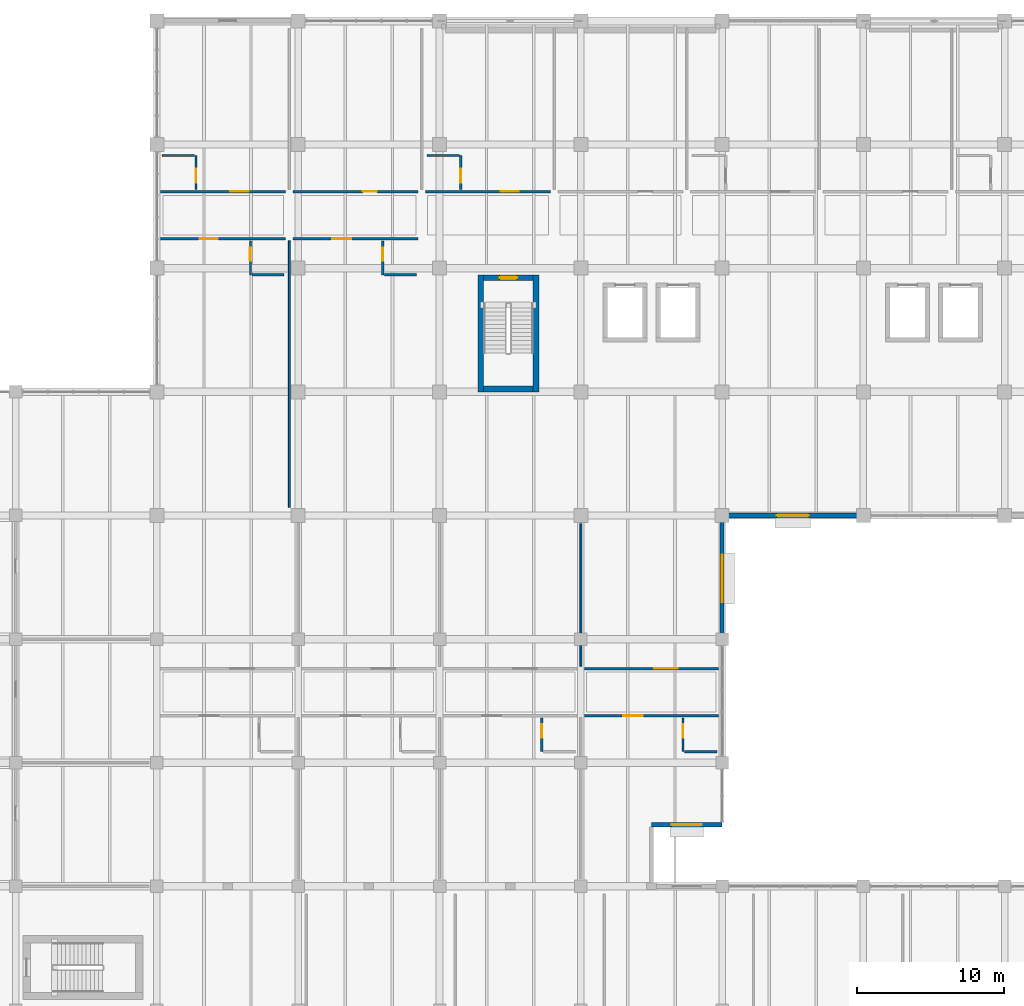
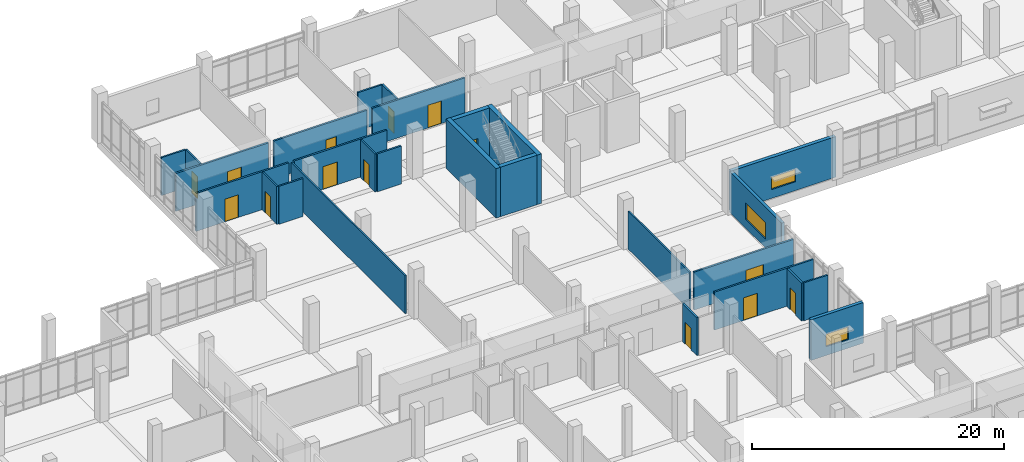
# One storey, part 131 of 152: 27 walls, 14 doors, 3 windows, 17 openings.
"""IFC4 building model written with IfcOpenShell, lengths in metres."""

from ifc_helpers import new_model, si_unit, direction, frame, frame_2d, origin, place, context, subcontext, project, spatial, rectangle, extrude, material, layer, layer_set, type_object, element, fill, save


model = new_model("IFC4")

# Units and contexts
model_context = context("Model", 3, precision=1e-05, world=origin(), true_north=direction((0.0, 1.0)))
body_context = subcontext(model_context, "Body", "Model", "MODEL_VIEW")
ifc_project = project(units=[si_unit("LENGTHUNIT", "METRE"), si_unit("AREAUNIT", "SQUARE_METRE"), si_unit("VOLUMEUNIT", "CUBIC_METRE"), si_unit("PLANEANGLEUNIT", "RADIAN"), si_unit("MASSUNIT", "GRAM", prefix="KILO")], contexts=[model_context])

# Site, building, storey
site_placement = place(None, origin())
site = spatial("IfcSite", under=ifc_project, at=site_placement, CompositionType="ELEMENT")
building_placement = place(site_placement, origin())
building = spatial("IfcBuilding", under=site, at=building_placement, Name="Oolite Switchyard Hospital", CompositionType="ELEMENT")
storey_placement = place(building_placement, frame((0.0, 0.0, 5.10009765625)))
storey = spatial("IfcBuildingStorey", under=building, at=storey_placement, Name="L01", CompositionType="ELEMENT", Elevation=5.10009765625)

# Wall, opening, window
ifc_material_1 = material(Name="Precast oolitic limestone architectural concrete C40/50", Category="masonry")
ifc_layer_1 = layer(ifc_material_1, 0.280029296875)
ifc_layer_set_1 = layer_set([ifc_layer_1], Name="WAL-EXT-280")
wall_type_1 = type_object("IfcWallType", Name="WAL-EXT-280", PredefinedType="SOLIDWALL", material=ifc_layer_set_1)
wall_1_placement = place(storey_placement, frame((172.800048828125, 100.639892578125, 0.0), z_axis=(0.0, 0.0, 1.0), x_axis=(0.0, -1.0, 0.0)))
wall_1 = element("IfcWall", 1, at=wall_1_placement, inside=storey, type_object=wall_type_1, Name="L01 Exterior Spandrel Wall 119", PredefinedType="SOLIDWALL", context=body_context, shape_type="SweptSolid", body=[
    extrude(rectangle(XDim=8.239990234375, YDim=0.280029296875, at=frame_2d((4.1201171875, 0.0))), origin(), (0.0, 0.0, 1.0), 3.93994140625),
])
opening_1_placement = place(wall_1_placement, frame((2.52001953125, 0.0, 0.85009765625)))
opening_1 = element("IfcOpeningElement", 2, at=opening_1_placement, cuts=wall_1, Name="Opening WN-0042", PredefinedType="OPENING", context=body_context, shape_type="SweptSolid", body=[
    extrude(rectangle(XDim=3.199951171875, YDim=1.60009765625, at=frame_2d((1.60009765625, 0.800048828125))), frame((0.0, 0.14990234375, 0.0), z_axis=(0.0, -1.0, 0.0), x_axis=(1.0, 0.0, 0.0)), (0.0, 0.0, 1.0), 0.300048828125),
])
ifc_material_2 = material(Name="Thermally broken aluminum frame with laminated impact glazing", Category="aluminium")
window_type_1 = type_object("IfcWindowType", Name="WIN-IMP-320X160", PartitioningType="SINGLE_PANEL", PredefinedType="WINDOW", material=ifc_material_2)
window_1_placement = place(opening_1_placement, origin())
window_1 = element("IfcWindow", 3, at=window_1_placement, inside=storey, type_object=window_type_1, Name="L01 Hurricane Impact Window WN-0042", OverallHeight=1.60009765625, OverallWidth=3.199951171875, PartitioningType="SINGLE_PANEL", PredefinedType="WINDOW", context=body_context, shape_type="SweptSolid", body=[
    extrude(rectangle(XDim=3.199951171875, YDim=1.60009765625, at=frame_2d((1.60009765625, 0.800048828125))), frame((0.0, 0.030029296875, 0.0), z_axis=(0.0, -1.0, 0.0), x_axis=(1.0, 0.0, 0.0)), (0.0, 0.0, 1.0), 0.06005859375),
])
fill(opening_1, window_1)

ifc_layer_2 = layer(ifc_material_1, 0.300048828125)
ifc_layer_set_2 = layer_set([ifc_layer_2], Name="WAL-EXT-300")
wall_type_2 = type_object("IfcWallType", Name="WAL-EXT-300", PredefinedType="SOLIDWALL", material=ifc_layer_set_2)
wall_2_placement = place(storey_placement, frame((172.800048828125, 79.800048828125, 0.0), z_axis=(0.0, 0.0, 1.0), x_axis=(-1.0, 0.0, 0.0)))
wall_2 = element("IfcWall", 4, at=wall_2_placement, inside=storey, type_object=wall_type_2, Name="L01 Exterior Spandrel Wall 85", PredefinedType="SOLIDWALL", context=body_context, shape_type="SweptSolid", body=[
    extrude(rectangle(XDim=4.800048828125, YDim=0.300048828125, at=frame_2d((2.39990234375, 0.0))), origin(), (0.0, 0.0, 1.0), 3.93994140625),
])
opening_2_placement = place(wall_2_placement, frame((1.375, 0.0, 0.85009765625)))
opening_2 = element("IfcOpeningElement", 5, at=opening_2_placement, cuts=wall_2, Name="Opening WN-0030", PredefinedType="OPENING", context=body_context, shape_type="SweptSolid", body=[
    extrude(rectangle(XDim=2.050048828125, YDim=1.199951171875, at=frame_2d((1.02490234375, 0.60009765625))), frame((0.0, 0.16015625, 0.0), z_axis=(0.0, -1.0, 0.0), x_axis=(1.0, 0.0, 0.0)), (0.0, 0.0, 1.0), 0.320068359375),
])
window_type_2 = type_object("IfcWindowType", Name="WIN-IMP-205X120", PartitioningType="SINGLE_PANEL", PredefinedType="WINDOW", material=ifc_material_2)
window_2_placement = place(opening_2_placement, origin())
window_2 = element("IfcWindow", 6, at=window_2_placement, inside=storey, type_object=window_type_2, Name="L01 Hurricane Impact Window WN-0030", OverallHeight=1.199951171875, OverallWidth=2.050048828125, PartitioningType="SINGLE_PANEL", PredefinedType="WINDOW", context=body_context, shape_type="SweptSolid", body=[
    extrude(rectangle(XDim=2.050048828125, YDim=1.199951171875, at=frame_2d((1.02490234375, 0.60009765625))), frame((0.0, 0.030029296875, 0.0), z_axis=(0.0, -1.0, 0.0), x_axis=(1.0, 0.0, 0.0)), (0.0, 0.0, 1.0), 0.06005859375),
])
fill(opening_2, window_2)

ifc_layer_3 = layer(ifc_material_1, 0.320068359375)
ifc_layer_set_3 = layer_set([ifc_layer_3], Name="WAL-EXT-320")
wall_type_3 = type_object("IfcWallType", Name="WAL-EXT-320", PredefinedType="SOLIDWALL", material=ifc_layer_set_3)
wall_3_placement = place(storey_placement, frame((182.39990234375, 100.800048828125, 0.0), z_axis=(0.0, 0.0, 1.0), x_axis=(-1.0, 0.0, 0.0)))
wall_3 = element("IfcWall", 7, at=wall_3_placement, inside=storey, type_object=wall_type_3, Name="L01 Exterior Spandrel Wall 86", PredefinedType="SOLIDWALL", context=body_context, shape_type="SweptSolid", body=[
    extrude(rectangle(XDim=9.599853515625, YDim=0.320068359375, at=frame_2d((4.7998046875, 0.0))), origin(), (0.0, 0.0, 1.0), 3.93994140625),
])
opening_3_placement = place(wall_3_placement, frame((3.699951171875, 0.0, 0.85009765625)))
opening_3 = element("IfcOpeningElement", 8, at=opening_3_placement, cuts=wall_3, Name="Opening WN-0031", PredefinedType="OPENING", context=body_context, shape_type="SweptSolid", body=[
    extrude(rectangle(XDim=2.199951171875, YDim=1.199951171875, at=frame_2d((1.10009765625, 0.60009765625))), frame((0.0, 0.169921875, 0.0), z_axis=(0.0, -1.0, 0.0), x_axis=(1.0, 0.0, 0.0)), (0.0, 0.0, 1.0), 0.340087890625),
])
window_type_3 = type_object("IfcWindowType", Name="WIN-IMP-220X120", PartitioningType="SINGLE_PANEL", PredefinedType="WINDOW", material=ifc_material_2)
window_3_placement = place(opening_3_placement, origin())
window_3 = element("IfcWindow", 9, at=window_3_placement, inside=storey, type_object=window_type_3, Name="L01 Hurricane Impact Window WN-0031", OverallHeight=1.199951171875, OverallWidth=2.199951171875, PartitioningType="SINGLE_PANEL", PredefinedType="WINDOW", context=body_context, shape_type="SweptSolid", body=[
    extrude(rectangle(XDim=2.199951171875, YDim=1.199951171875, at=frame_2d((1.10009765625, 0.60009765625))), frame((0.0, 0.030029296875, 0.0), z_axis=(0.0, -1.0, 0.0), x_axis=(1.0, 0.0, 0.0)), (0.0, 0.0, 1.0), 0.06005859375),
])
fill(opening_3, window_3)

# Walls
ifc_material_3 = material(Name="Moisture-resistant gypsum board on steel studs", Category="steel")
ifc_layer_4 = layer(ifc_material_3, 0.135009765625)
ifc_layer_set_4 = layer_set([ifc_layer_4], Name="WAL-PART-135")
wall_type_4 = type_object("IfcWallType", Name="WAL-PART-135", PredefinedType="PARTITIONING", material=ifc_layer_set_4)
wall_4_placement = place(storey_placement, frame((163.199951171875, 90.550048828125, 0.0), z_axis=(0.0, 0.0, 1.0), x_axis=(0.0, 1.0, 0.0)))
element("IfcWall", 10, at=wall_4_placement, inside=storey, type_object=wall_type_4, Name="L01 Interior Partition 324", PredefinedType="PARTITIONING", context=body_context, shape_type="SweptSolid", body=[
    extrude(rectangle(XDim=9.699951171875, YDim=0.135009765625, at=frame_2d((4.85009765625, 0.0))), origin(), (0.0, 0.0, 1.0), 3.679931640625),
])
wall_5_placement = place(storey_placement, frame((143.39990234375, 101.35009765625, 0.0), z_axis=(0.0, 0.0, 1.0), x_axis=(0.0, 1.0, 0.0)))
element("IfcWall", 11, at=wall_5_placement, inside=storey, type_object=wall_type_4, Name="L01 Interior Partition 334", PredefinedType="PARTITIONING", context=body_context, shape_type="SweptSolid", body=[
    extrude(rectangle(XDim=18.099853515625, YDim=0.135009765625, at=frame_2d((9.0498046875, 0.0))), origin(), (0.0, 0.0, 1.0), 3.679931640625),
])

# Wall, opening, door
ifc_layer_5 = layer(ifc_material_3, 0.14990234375)
ifc_layer_set_5 = layer_set([ifc_layer_5], Name="WAL-PART-150")
wall_type_5 = type_object("IfcWallType", Name="WAL-PART-150", PredefinedType="PARTITIONING", material=ifc_layer_set_5)
wall_6_placement = place(storey_placement, frame((160.550048828125, 84.75, 0.0), z_axis=(0.0, 0.0, 1.0), x_axis=(0.0, 1.0, 0.0)))
wall_6 = element("IfcWall", 12, at=wall_6_placement, inside=storey, type_object=wall_type_5, Name="L01 Interior Partition 314", PredefinedType="PARTITIONING", context=body_context, shape_type="SweptSolid", body=[
    extrude(rectangle(XDim=2.300048828125, YDim=0.14990234375, at=frame_2d((1.14990234375, 0.0))), origin(), (0.0, 0.0, 1.0), 3.679931640625),
])
opening_4_placement = place(wall_6_placement, frame((0.949951171875, 0.0, 0.0)))
opening_4 = element("IfcOpeningElement", 13, at=opening_4_placement, cuts=wall_6, Name="Opening D-0182", PredefinedType="OPENING", context=body_context, shape_type="SweptSolid", body=[
    extrude(rectangle(XDim=0.89990234375, YDim=2.10009765625, at=frame_2d((0.449951171875, 1.050048828125))), frame((0.0, 0.0849609375, 0.0), z_axis=(0.0, -1.0, 0.0), x_axis=(1.0, 0.0, 0.0)), (0.0, 0.0, 1.0), 0.169921875),
])
ifc_material_4 = material(Name="Solid-core antimicrobial hardwood leaf in steel frame", Category="steel")
door_type_1 = type_object("IfcDoorType", Name="DR-BATH-090X210", OperationType="NOTDEFINED", PredefinedType="DOOR", material=ifc_material_4)
door_1_placement = place(opening_4_placement, origin())
door_1 = element("IfcDoor", 14, at=door_1_placement, inside=storey, type_object=door_type_1, Name="L01 Interior Door D-0182", OperationType="SINGLE_SWING_RIGHT", OverallHeight=2.10009765625, OverallWidth=0.89990234375, PredefinedType="DOOR", context=body_context, shape_type="SweptSolid", body=[
    extrude(rectangle(XDim=0.89990234375, YDim=2.10009765625, at=frame_2d((0.449951171875, 1.050048828125))), frame((0.0, 0.02490234375, 0.0), z_axis=(0.0, -1.0, 0.0), x_axis=(1.0, 0.0, 0.0)), (0.0, 0.0, 1.0), 0.050048828125),
])
fill(opening_4, door_1)

wall_7_placement = place(storey_placement, frame((170.14990234375, 84.75, 0.0), z_axis=(0.0, 0.0, 1.0), x_axis=(0.0, 1.0, 0.0)))
wall_7 = element("IfcWall", 15, at=wall_7_placement, inside=storey, type_object=wall_type_5, Name="L01 Interior Partition 320", PredefinedType="PARTITIONING", context=body_context, shape_type="SweptSolid", body=[
    extrude(rectangle(XDim=2.300048828125, YDim=0.14990234375, at=frame_2d((1.14990234375, 0.0))), origin(), (0.0, 0.0, 1.0), 3.679931640625),
])
opening_5_placement = place(wall_7_placement, frame((0.949951171875, 0.0, 0.0)))
opening_5 = element("IfcOpeningElement", 16, at=opening_5_placement, cuts=wall_7, Name="Opening D-0185", PredefinedType="OPENING", context=body_context, shape_type="SweptSolid", body=[
    extrude(rectangle(XDim=0.89990234375, YDim=2.10009765625, at=frame_2d((0.449951171875, 1.050048828125))), frame((0.0, 0.0849609375, 0.0), z_axis=(0.0, -1.0, 0.0), x_axis=(1.0, 0.0, 0.0)), (0.0, 0.0, 1.0), 0.169921875),
])
door_2_placement = place(opening_5_placement, origin())
door_2 = element("IfcDoor", 17, at=door_2_placement, inside=storey, type_object=door_type_1, Name="L01 Interior Door D-0185", OperationType="SINGLE_SWING_LEFT", OverallHeight=2.10009765625, OverallWidth=0.89990234375, PredefinedType="DOOR", context=body_context, shape_type="SweptSolid", body=[
    extrude(rectangle(XDim=0.89990234375, YDim=2.10009765625, at=frame_2d((0.449951171875, 1.050048828125))), frame((0.0, 0.02490234375, 0.0), z_axis=(0.0, -1.0, 0.0), x_axis=(1.0, 0.0, 0.0)), (0.0, 0.0, 1.0), 0.050048828125),
])
fill(opening_5, door_2)

# Wall
wall_8_placement = place(storey_placement, frame((170.25, 84.75, 0.0), z_axis=(0.0, 0.0, 1.0), x_axis=(1.0, 0.0, 0.0)))
element("IfcWall", 18, at=wall_8_placement, inside=storey, type_object=wall_type_5, Name="L01 Interior Partition 321", PredefinedType="PARTITIONING", context=body_context, shape_type="SweptSolid", body=[
    extrude(rectangle(XDim=2.199951171875, YDim=0.14990234375, at=frame_2d((1.10009765625, 0.0))), origin(), (0.0, 0.0, 1.0), 3.679931640625),
])

# Wall, opening, door
wall_9_placement = place(storey_placement, frame((140.75, 117.14990234375, 0.0), z_axis=(0.0, 0.0, 1.0), x_axis=(0.0, 1.0, 0.0)))
wall_9 = element("IfcWall", 19, at=wall_9_placement, inside=storey, type_object=wall_type_5, Name="L01 Interior Partition 326", PredefinedType="PARTITIONING", context=body_context, shape_type="SweptSolid", body=[
    extrude(rectangle(XDim=2.300048828125, YDim=0.14990234375, at=frame_2d((1.14990234375, 0.0))), origin(), (0.0, 0.0, 1.0), 3.679931640625),
])
opening_6_placement = place(wall_9_placement, frame((0.949951171875, 0.0, 0.0)))
opening_6 = element("IfcOpeningElement", 20, at=opening_6_placement, cuts=wall_9, Name="Opening D-0188", PredefinedType="OPENING", context=body_context, shape_type="SweptSolid", body=[
    extrude(rectangle(XDim=0.89990234375, YDim=2.10009765625, at=frame_2d((0.449951171875, 1.050048828125))), frame((0.0, 0.0849609375, 0.0), z_axis=(0.0, -1.0, 0.0), x_axis=(1.0, 0.0, 0.0)), (0.0, 0.0, 1.0), 0.169921875),
])
door_3_placement = place(opening_6_placement, origin())
door_3 = element("IfcDoor", 21, at=door_3_placement, inside=storey, type_object=door_type_1, Name="L01 Interior Door D-0188", OperationType="SINGLE_SWING_RIGHT", OverallHeight=2.10009765625, OverallWidth=0.89990234375, PredefinedType="DOOR", context=body_context, shape_type="SweptSolid", body=[
    extrude(rectangle(XDim=0.89990234375, YDim=2.10009765625, at=frame_2d((0.449951171875, 1.050048828125))), frame((0.0, 0.02490234375, 0.0), z_axis=(0.0, -1.0, 0.0), x_axis=(1.0, 0.0, 0.0)), (0.0, 0.0, 1.0), 0.050048828125),
])
fill(opening_6, door_3)

# Wall
wall_10_placement = place(storey_placement, frame((140.85009765625, 117.14990234375, 0.0), z_axis=(0.0, 0.0, 1.0), x_axis=(1.0, 0.0, 0.0)))
element("IfcWall", 22, at=wall_10_placement, inside=storey, type_object=wall_type_5, Name="L01 Interior Partition 327", PredefinedType="PARTITIONING", context=body_context, shape_type="SweptSolid", body=[
    extrude(rectangle(XDim=2.199951171875, YDim=0.14990234375, at=frame_2d((1.10009765625, 0.0))), origin(), (0.0, 0.0, 1.0), 3.679931640625),
])

# Wall, opening, door
wall_11_placement = place(storey_placement, frame((137.050048828125, 122.949951171875, 0.0), z_axis=(0.0, 0.0, 1.0), x_axis=(0.0, 1.0, 0.0)))
wall_11 = element("IfcWall", 23, at=wall_11_placement, inside=storey, type_object=wall_type_5, Name="L01 Interior Partition 329", PredefinedType="PARTITIONING", context=body_context, shape_type="SweptSolid", body=[
    extrude(rectangle(XDim=2.300048828125, YDim=0.14990234375, at=frame_2d((1.14990234375, 0.0))), origin(), (0.0, 0.0, 1.0), 3.679931640625),
])
opening_7_placement = place(wall_11_placement, frame((0.449951171875, 0.0, 0.0)))
opening_7 = element("IfcOpeningElement", 24, at=opening_7_placement, cuts=wall_11, Name="Opening D-0190", PredefinedType="OPENING", context=body_context, shape_type="SweptSolid", body=[
    extrude(rectangle(XDim=0.949951171875, YDim=2.10009765625, at=frame_2d((0.47509765625, 1.050048828125))), frame((0.0, 0.0849609375, 0.0), z_axis=(0.0, -1.0, 0.0), x_axis=(1.0, 0.0, 0.0)), (0.0, 0.0, 1.0), 0.169921875),
])
door_type_2 = type_object("IfcDoorType", Name="DR-BATH-095X210", OperationType="NOTDEFINED", PredefinedType="DOOR", material=ifc_material_4)
door_4_placement = place(opening_7_placement, origin())
door_4 = element("IfcDoor", 25, at=door_4_placement, inside=storey, type_object=door_type_2, Name="L01 Interior Door D-0190", OperationType="SINGLE_SWING_LEFT", OverallHeight=2.10009765625, OverallWidth=0.949951171875, PredefinedType="DOOR", context=body_context, shape_type="SweptSolid", body=[
    extrude(rectangle(XDim=0.949951171875, YDim=2.10009765625, at=frame_2d((0.47509765625, 1.050048828125))), frame((0.0, 0.02490234375, 0.0), z_axis=(0.0, -1.0, 0.0), x_axis=(1.0, 0.0, 0.0)), (0.0, 0.0, 1.0), 0.050048828125),
])
fill(opening_7, door_4)

# Wall
wall_12_placement = place(storey_placement, frame((134.75, 125.25, 0.0), z_axis=(0.0, 0.0, 1.0), x_axis=(1.0, 0.0, 0.0)))
element("IfcWall", 26, at=wall_12_placement, inside=storey, type_object=wall_type_5, Name="L01 Interior Partition 330", PredefinedType="PARTITIONING", context=body_context, shape_type="SweptSolid", body=[
    extrude(rectangle(XDim=2.199951171875, YDim=0.14990234375, at=frame_2d((1.10009765625, 0.0))), origin(), (0.0, 0.0, 1.0), 3.679931640625),
])

# Wall, opening, door
wall_13_placement = place(storey_placement, frame((149.75, 117.14990234375, 0.0), z_axis=(0.0, 0.0, 1.0), x_axis=(0.0, 1.0, 0.0)))
wall_13 = element("IfcWall", 27, at=wall_13_placement, inside=storey, type_object=wall_type_5, Name="L01 Interior Partition 332", PredefinedType="PARTITIONING", context=body_context, shape_type="SweptSolid", body=[
    extrude(rectangle(XDim=2.300048828125, YDim=0.14990234375, at=frame_2d((1.14990234375, 0.0))), origin(), (0.0, 0.0, 1.0), 3.679931640625),
])
opening_8_placement = place(wall_13_placement, frame((0.949951171875, 0.0, 0.0)))
opening_8 = element("IfcOpeningElement", 28, at=opening_8_placement, cuts=wall_13, Name="Opening D-0192", PredefinedType="OPENING", context=body_context, shape_type="SweptSolid", body=[
    extrude(rectangle(XDim=0.89990234375, YDim=2.10009765625, at=frame_2d((0.449951171875, 1.050048828125))), frame((0.0, 0.0849609375, 0.0), z_axis=(0.0, -1.0, 0.0), x_axis=(1.0, 0.0, 0.0)), (0.0, 0.0, 1.0), 0.169921875),
])
door_5_placement = place(opening_8_placement, origin())
door_5 = element("IfcDoor", 29, at=door_5_placement, inside=storey, type_object=door_type_1, Name="L01 Interior Door D-0192", OperationType="SINGLE_SWING_LEFT", OverallHeight=2.10009765625, OverallWidth=0.89990234375, PredefinedType="DOOR", context=body_context, shape_type="SweptSolid", body=[
    extrude(rectangle(XDim=0.89990234375, YDim=2.10009765625, at=frame_2d((0.449951171875, 1.050048828125))), frame((0.0, 0.02490234375, 0.0), z_axis=(0.0, -1.0, 0.0), x_axis=(1.0, 0.0, 0.0)), (0.0, 0.0, 1.0), 0.050048828125),
])
fill(opening_8, door_5)

# Wall
wall_14_placement = place(storey_placement, frame((149.85009765625, 117.14990234375, 0.0), z_axis=(0.0, 0.0, 1.0), x_axis=(1.0, 0.0, 0.0)))
element("IfcWall", 30, at=wall_14_placement, inside=storey, type_object=wall_type_5, Name="L01 Interior Partition 333", PredefinedType="PARTITIONING", context=body_context, shape_type="SweptSolid", body=[
    extrude(rectangle(XDim=2.199951171875, YDim=0.14990234375, at=frame_2d((1.10009765625, 0.0))), origin(), (0.0, 0.0, 1.0), 3.679931640625),
])

# Wall, opening, door
wall_15_placement = place(storey_placement, frame((155.050048828125, 122.949951171875, 0.0), z_axis=(0.0, 0.0, 1.0), x_axis=(0.0, 1.0, 0.0)))
wall_15 = element("IfcWall", 31, at=wall_15_placement, inside=storey, type_object=wall_type_5, Name="L01 Interior Partition 338", PredefinedType="PARTITIONING", context=body_context, shape_type="SweptSolid", body=[
    extrude(rectangle(XDim=2.300048828125, YDim=0.14990234375, at=frame_2d((1.14990234375, 0.0))), origin(), (0.0, 0.0, 1.0), 3.679931640625),
])
opening_9_placement = place(wall_15_placement, frame((0.449951171875, 0.0, 0.0)))
opening_9 = element("IfcOpeningElement", 32, at=opening_9_placement, cuts=wall_15, Name="Opening D-0195", PredefinedType="OPENING", context=body_context, shape_type="SweptSolid", body=[
    extrude(rectangle(XDim=0.949951171875, YDim=2.10009765625, at=frame_2d((0.47509765625, 1.050048828125))), frame((0.0, 0.0849609375, 0.0), z_axis=(0.0, -1.0, 0.0), x_axis=(1.0, 0.0, 0.0)), (0.0, 0.0, 1.0), 0.169921875),
])
door_6_placement = place(opening_9_placement, origin())
door_6 = element("IfcDoor", 33, at=door_6_placement, inside=storey, type_object=door_type_2, Name="L01 Interior Door D-0195", OperationType="SINGLE_SWING_LEFT", OverallHeight=2.10009765625, OverallWidth=0.949951171875, PredefinedType="DOOR", context=body_context, shape_type="SweptSolid", body=[
    extrude(rectangle(XDim=0.949951171875, YDim=2.10009765625, at=frame_2d((0.47509765625, 1.050048828125))), frame((0.0, 0.02490234375, 0.0), z_axis=(0.0, -1.0, 0.0), x_axis=(1.0, 0.0, 0.0)), (0.0, 0.0, 1.0), 0.050048828125),
])
fill(opening_9, door_6)

# Wall
wall_16_placement = place(storey_placement, frame((152.75, 125.25, 0.0), z_axis=(0.0, 0.0, 1.0), x_axis=(1.0, 0.0, 0.0)))
element("IfcWall", 34, at=wall_16_placement, inside=storey, type_object=wall_type_5, Name="L01 Interior Partition 339", PredefinedType="PARTITIONING", context=body_context, shape_type="SweptSolid", body=[
    extrude(rectangle(XDim=2.199951171875, YDim=0.14990234375, at=frame_2d((1.10009765625, 0.0))), origin(), (0.0, 0.0, 1.0), 3.679931640625),
])

# Wall, opening, door
ifc_layer_6 = layer(ifc_material_3, 0.1650390625)
ifc_layer_set_6 = layer_set([ifc_layer_6], Name="WAL-PART-165")
wall_type_6 = type_object("IfcWallType", Name="WAL-PART-165", PredefinedType="PARTITIONING", material=ifc_layer_set_6)
wall_17_placement = place(storey_placement, frame((163.449951171875, 87.199951171875, 0.0), z_axis=(0.0, 0.0, 1.0), x_axis=(1.0, 0.0, 0.0)))
wall_17 = element("IfcWall", 35, at=wall_17_placement, inside=storey, type_object=wall_type_6, Name="L01 Interior Partition 319", PredefinedType="PARTITIONING", context=body_context, shape_type="SweptSolid", body=[
    extrude(rectangle(XDim=9.10009765625, YDim=0.1650390625, at=frame_2d((4.550048828125, 0.0))), origin(), (0.0, 0.0, 1.0), 3.679931640625),
])
opening_10_placement = place(wall_17_placement, frame((2.64990234375, 0.0, 0.0)))
opening_10 = element("IfcOpeningElement", 36, at=opening_10_placement, cuts=wall_17, Name="Opening D-0184", PredefinedType="OPENING", context=body_context, shape_type="SweptSolid", body=[
    extrude(rectangle(XDim=1.300048828125, YDim=2.199951171875, at=frame_2d((0.64990234375, 1.10009765625))), frame((0.0, 0.092529296875, 0.0), z_axis=(0.0, -1.0, 0.0), x_axis=(1.0, 0.0, 0.0)), (0.0, 0.0, 1.0), 0.18505859375),
])
door_type_3 = type_object("IfcDoorType", Name="DR-WARD-130X220", OperationType="NOTDEFINED", PredefinedType="DOOR", material=ifc_material_4)
door_7_placement = place(opening_10_placement, origin())
door_7 = element("IfcDoor", 37, at=door_7_placement, inside=storey, type_object=door_type_3, Name="L01 Interior Door D-0184", OperationType="SINGLE_SWING_RIGHT", OverallHeight=2.199951171875, OverallWidth=1.300048828125, PredefinedType="DOOR", context=body_context, shape_type="SweptSolid", body=[
    extrude(rectangle(XDim=1.300048828125, YDim=2.199951171875, at=frame_2d((0.64990234375, 1.10009765625))), frame((0.0, 0.02490234375, 0.0), z_axis=(0.0, -1.0, 0.0), x_axis=(1.0, 0.0, 0.0)), (0.0, 0.0, 1.0), 0.050048828125),
])
fill(opening_10, door_7)

wall_18_placement = place(storey_placement, frame((163.449951171875, 90.39990234375, 0.0), z_axis=(0.0, 0.0, 1.0), x_axis=(1.0, 0.0, 0.0)))
wall_18 = element("IfcWall", 38, at=wall_18_placement, inside=storey, type_object=wall_type_6, Name="L01 Interior Partition 323", PredefinedType="PARTITIONING", context=body_context, shape_type="SweptSolid", body=[
    extrude(rectangle(XDim=9.10009765625, YDim=0.1650390625, at=frame_2d((4.550048828125, 0.0))), origin(), (0.0, 0.0, 1.0), 3.679931640625),
])
opening_11_placement = place(wall_18_placement, frame((4.75, 0.0, 0.0)))
opening_11 = element("IfcOpeningElement", 39, at=opening_11_placement, cuts=wall_18, Name="Opening D-0186", PredefinedType="OPENING", context=body_context, shape_type="SweptSolid", body=[
    extrude(rectangle(XDim=1.60009765625, YDim=2.199951171875, at=frame_2d((0.800048828125, 1.10009765625))), frame((0.0, 0.092529296875, 0.0), z_axis=(0.0, -1.0, 0.0), x_axis=(1.0, 0.0, 0.0)), (0.0, 0.0, 1.0), 0.18505859375),
])
ifc_material_5 = material(Name="Hollow metal fire-rated steel door assembly", Category="steel")
door_type_4 = type_object("IfcDoorType", Name="DR-DBL-160X220", OperationType="NOTDEFINED", PredefinedType="DOOR", material=ifc_material_5)
door_8_placement = place(opening_11_placement, origin())
door_8 = element("IfcDoor", 40, at=door_8_placement, inside=storey, type_object=door_type_4, Name="L01 Interior Door D-0186", OperationType="DOUBLE_DOOR_SINGLE_SWING", OverallHeight=2.199951171875, OverallWidth=1.60009765625, PredefinedType="DOOR", context=body_context, shape_type="SweptSolid", body=[
    extrude(rectangle(XDim=1.60009765625, YDim=2.199951171875, at=frame_2d((0.800048828125, 1.10009765625))), frame((0.0, 0.02490234375, 0.0), z_axis=(0.0, -1.0, 0.0), x_axis=(1.0, 0.0, 0.0)), (0.0, 0.0, 1.0), 0.050048828125),
])
fill(opening_11, door_8)

wall_19_placement = place(storey_placement, frame((134.64990234375, 119.60009765625, 0.0), z_axis=(0.0, 0.0, 1.0), x_axis=(1.0, 0.0, 0.0)))
wall_19 = element("IfcWall", 41, at=wall_19_placement, inside=storey, type_object=wall_type_6, Name="L01 Interior Partition 325", PredefinedType="PARTITIONING", context=body_context, shape_type="SweptSolid", body=[
    extrude(rectangle(XDim=8.5, YDim=0.1650390625, at=frame_2d((4.25, 0.0))), origin(), (0.0, 0.0, 1.0), 3.679931640625),
])
opening_12_placement = place(wall_19_placement, frame((2.64990234375, 0.0, 0.0)))
opening_12 = element("IfcOpeningElement", 42, at=opening_12_placement, cuts=wall_19, Name="Opening D-0187", PredefinedType="OPENING", context=body_context, shape_type="SweptSolid", body=[
    extrude(rectangle(XDim=1.25, YDim=2.199951171875, at=frame_2d((0.625, 1.10009765625))), frame((0.0, 0.092529296875, 0.0), z_axis=(0.0, -1.0, 0.0), x_axis=(1.0, 0.0, 0.0)), (0.0, 0.0, 1.0), 0.18505859375),
])
door_type_5 = type_object("IfcDoorType", Name="DR-WARD-125X220", OperationType="NOTDEFINED", PredefinedType="DOOR", material=ifc_material_4)
door_9_placement = place(opening_12_placement, origin())
door_9 = element("IfcDoor", 43, at=door_9_placement, inside=storey, type_object=door_type_5, Name="L01 Interior Door D-0187", OperationType="SINGLE_SWING_LEFT", OverallHeight=2.199951171875, OverallWidth=1.25, PredefinedType="DOOR", context=body_context, shape_type="SweptSolid", body=[
    extrude(rectangle(XDim=1.25, YDim=2.199951171875, at=frame_2d((0.625, 1.10009765625))), frame((0.0, 0.02490234375, 0.0), z_axis=(0.0, -1.0, 0.0), x_axis=(1.0, 0.0, 0.0)), (0.0, 0.0, 1.0), 0.050048828125),
])
fill(opening_12, door_9)

wall_20_placement = place(storey_placement, frame((134.64990234375, 122.800048828125, 0.0), z_axis=(0.0, 0.0, 1.0), x_axis=(1.0, 0.0, 0.0)))
wall_20 = element("IfcWall", 44, at=wall_20_placement, inside=storey, type_object=wall_type_6, Name="L01 Interior Partition 328", PredefinedType="PARTITIONING", context=body_context, shape_type="SweptSolid", body=[
    extrude(rectangle(XDim=8.5, YDim=0.1650390625, at=frame_2d((4.25, 0.0))), origin(), (0.0, 0.0, 1.0), 3.679931640625),
])
opening_13_placement = place(wall_20_placement, frame((4.75, 0.0, 0.0)))
opening_13 = element("IfcOpeningElement", 45, at=opening_13_placement, cuts=wall_20, Name="Opening D-0189", PredefinedType="OPENING", context=body_context, shape_type="SweptSolid", body=[
    extrude(rectangle(XDim=1.25, YDim=2.199951171875, at=frame_2d((0.625, 1.10009765625))), frame((0.0, 0.092529296875, 0.0), z_axis=(0.0, -1.0, 0.0), x_axis=(1.0, 0.0, 0.0)), (0.0, 0.0, 1.0), 0.18505859375),
])
door_10_placement = place(opening_13_placement, origin())
door_10 = element("IfcDoor", 46, at=door_10_placement, inside=storey, type_object=door_type_5, Name="L01 Interior Door D-0189", OperationType="SINGLE_SWING_RIGHT", OverallHeight=2.199951171875, OverallWidth=1.25, PredefinedType="DOOR", context=body_context, shape_type="SweptSolid", body=[
    extrude(rectangle(XDim=1.25, YDim=2.199951171875, at=frame_2d((0.625, 1.10009765625))), frame((0.0, 0.02490234375, 0.0), z_axis=(0.0, -1.0, 0.0), x_axis=(1.0, 0.0, 0.0)), (0.0, 0.0, 1.0), 0.050048828125),
])
fill(opening_13, door_10)

wall_21_placement = place(storey_placement, frame((143.64990234375, 119.60009765625, 0.0), z_axis=(0.0, 0.0, 1.0), x_axis=(1.0, 0.0, 0.0)))
wall_21 = element("IfcWall", 47, at=wall_21_placement, inside=storey, type_object=wall_type_6, Name="L01 Interior Partition 331", PredefinedType="PARTITIONING", context=body_context, shape_type="SweptSolid", body=[
    extrude(rectangle(XDim=8.5, YDim=0.1650390625, at=frame_2d((4.25, 0.0))), origin(), (0.0, 0.0, 1.0), 3.679931640625),
])
opening_14_placement = place(wall_21_placement, frame((2.64990234375, 0.0, 0.0)))
opening_14 = element("IfcOpeningElement", 48, at=opening_14_placement, cuts=wall_21, Name="Opening D-0191", PredefinedType="OPENING", context=body_context, shape_type="SweptSolid", body=[
    extrude(rectangle(XDim=1.300048828125, YDim=2.199951171875, at=frame_2d((0.64990234375, 1.10009765625))), frame((0.0, 0.092529296875, 0.0), z_axis=(0.0, -1.0, 0.0), x_axis=(1.0, 0.0, 0.0)), (0.0, 0.0, 1.0), 0.18505859375),
])
door_11_placement = place(opening_14_placement, origin())
door_11 = element("IfcDoor", 49, at=door_11_placement, inside=storey, type_object=door_type_3, Name="L01 Interior Door D-0191", OperationType="SINGLE_SWING_RIGHT", OverallHeight=2.199951171875, OverallWidth=1.300048828125, PredefinedType="DOOR", context=body_context, shape_type="SweptSolid", body=[
    extrude(rectangle(XDim=1.300048828125, YDim=2.199951171875, at=frame_2d((0.64990234375, 1.10009765625))), frame((0.0, 0.02490234375, 0.0), z_axis=(0.0, -1.0, 0.0), x_axis=(1.0, 0.0, 0.0)), (0.0, 0.0, 1.0), 0.050048828125),
])
fill(opening_14, door_11)

wall_22_placement = place(storey_placement, frame((143.64990234375, 122.800048828125, 0.0), z_axis=(0.0, 0.0, 1.0), x_axis=(1.0, 0.0, 0.0)))
wall_22 = element("IfcWall", 50, at=wall_22_placement, inside=storey, type_object=wall_type_6, Name="L01 Interior Partition 335", PredefinedType="PARTITIONING", context=body_context, shape_type="SweptSolid", body=[
    extrude(rectangle(XDim=8.5, YDim=0.1650390625, at=frame_2d((4.25, 0.0))), origin(), (0.0, 0.0, 1.0), 3.679931640625),
])
opening_15_placement = place(wall_22_placement, frame((4.75, 0.0, 0.0)))
opening_15 = element("IfcOpeningElement", 51, at=opening_15_placement, cuts=wall_22, Name="Opening D-0193", PredefinedType="OPENING", context=body_context, shape_type="SweptSolid", body=[
    extrude(rectangle(XDim=0.949951171875, YDim=2.10009765625, at=frame_2d((0.47509765625, 1.050048828125))), frame((0.0, 0.092529296875, 0.0), z_axis=(0.0, -1.0, 0.0), x_axis=(1.0, 0.0, 0.0)), (0.0, 0.0, 1.0), 0.18505859375),
])
door_12_placement = place(opening_15_placement, origin())
door_12 = element("IfcDoor", 52, at=door_12_placement, inside=storey, type_object=door_type_2, Name="L01 Interior Door D-0193", OperationType="SINGLE_SWING_LEFT", OverallHeight=2.10009765625, OverallWidth=0.949951171875, PredefinedType="DOOR", context=body_context, shape_type="SweptSolid", body=[
    extrude(rectangle(XDim=0.949951171875, YDim=2.10009765625, at=frame_2d((0.47509765625, 1.050048828125))), frame((0.0, 0.02490234375, 0.0), z_axis=(0.0, -1.0, 0.0), x_axis=(1.0, 0.0, 0.0)), (0.0, 0.0, 1.0), 0.050048828125),
])
fill(opening_15, door_12)

wall_23_placement = place(storey_placement, frame((152.64990234375, 122.800048828125, 0.0), z_axis=(0.0, 0.0, 1.0), x_axis=(1.0, 0.0, 0.0)))
wall_23 = element("IfcWall", 53, at=wall_23_placement, inside=storey, type_object=wall_type_6, Name="L01 Interior Partition 337", PredefinedType="PARTITIONING", context=body_context, shape_type="SweptSolid", body=[
    extrude(rectangle(XDim=8.5, YDim=0.1650390625, at=frame_2d((4.25, 0.0))), origin(), (0.0, 0.0, 1.0), 3.679931640625),
])
opening_16_placement = place(wall_23_placement, frame((5.10009765625, 0.0, 0.0)))
opening_16 = element("IfcOpeningElement", 54, at=opening_16_placement, cuts=wall_23, Name="Opening D-0194", PredefinedType="OPENING", context=body_context, shape_type="SweptSolid", body=[
    extrude(rectangle(XDim=1.25, YDim=2.199951171875, at=frame_2d((0.625, 1.10009765625))), frame((0.0, 0.092529296875, 0.0), z_axis=(0.0, -1.0, 0.0), x_axis=(1.0, 0.0, 0.0)), (0.0, 0.0, 1.0), 0.18505859375),
])
door_13_placement = place(opening_16_placement, origin())
door_13 = element("IfcDoor", 55, at=door_13_placement, inside=storey, type_object=door_type_5, Name="L01 Interior Door D-0194", OperationType="SINGLE_SWING_RIGHT", OverallHeight=2.199951171875, OverallWidth=1.25, PredefinedType="DOOR", context=body_context, shape_type="SweptSolid", body=[
    extrude(rectangle(XDim=1.25, YDim=2.199951171875, at=frame_2d((0.625, 1.10009765625))), frame((0.0, 0.02490234375, 0.0), z_axis=(0.0, -1.0, 0.0), x_axis=(1.0, 0.0, 0.0)), (0.0, 0.0, 1.0), 0.050048828125),
])
fill(opening_16, door_13)

# Walls
ifc_material_6 = material(Name="Concrete C50/60", Category="concrete")
ifc_layer_7 = layer(ifc_material_6, 0.39990234375)
ifc_layer_set_7 = layer_set([ifc_layer_7], Name="WAL-SHR-400")
wall_type_7 = type_object("IfcWallType", Name="WAL-SHR-400", PredefinedType="SHEAR", material=ifc_layer_set_7)
wall_24_placement = place(storey_placement, frame((156.39990234375, 117.14990234375, 0.0), z_axis=(0.0, 0.0, 1.0), x_axis=(0.0, -1.0, 0.0)))
element("IfcWall", 56, at=wall_24_placement, inside=storey, type_object=wall_type_7, Name="L01 Core Shear Wall ST-03", PredefinedType="SHEAR", context=body_context, shape_type="SweptSolid", body=[
    extrude(rectangle(XDim=7.949951171875, YDim=0.39990234375, at=frame_2d((3.97509765625, 0.0))), origin(), (0.0, 0.0, 1.0), 4.7998046875),
])
wall_25_placement = place(storey_placement, frame((156.60009765625, 109.39990234375, 0.0), z_axis=(0.0, 0.0, 1.0), x_axis=(1.0, 0.0, 0.0)))
element("IfcWall", 57, at=wall_25_placement, inside=storey, type_object=wall_type_7, Name="L01 Core Shear Wall ST-03", PredefinedType="SHEAR", context=body_context, shape_type="SweptSolid", body=[
    extrude(rectangle(XDim=3.35986328125, YDim=0.39990234375, at=frame_2d((1.679931640625, 0.0))), origin(), (0.0, 0.0, 1.0), 4.7998046875),
])
wall_26_placement = place(storey_placement, frame((160.159912109375, 109.199951171875, 0.0), z_axis=(0.0, 0.0, 1.0), x_axis=(0.0, 1.0, 0.0)))
element("IfcWall", 58, at=wall_26_placement, inside=storey, type_object=wall_type_7, Name="L01 Core Shear Wall ST-03", PredefinedType="SHEAR", context=body_context, shape_type="SweptSolid", body=[
    extrude(rectangle(XDim=7.949951171875, YDim=0.39990234375, at=frame_2d((3.97509765625, 0.0))), origin(), (0.0, 0.0, 1.0), 4.7998046875),
])

# Wall, opening, door
wall_27_placement = place(storey_placement, frame((159.9599609375, 116.949951171875, 0.0), z_axis=(0.0, 0.0, 1.0), x_axis=(-1.0, 0.0, 0.0)))
wall_27 = element("IfcWall", 59, at=wall_27_placement, inside=storey, type_object=wall_type_7, Name="L01 Core Shear Wall ST-03", PredefinedType="SHEAR", context=body_context, shape_type="SweptSolid", body=[
    extrude(rectangle(XDim=3.35986328125, YDim=0.39990234375, at=frame_2d((1.679931640625, 0.0))), origin(), (0.0, 0.0, 1.0), 4.7998046875),
])
opening_17_placement = place(wall_27_placement, frame((1.080078125, 0.0, 0.0)))
opening_17 = element("IfcOpeningElement", 60, at=opening_17_placement, cuts=wall_27, Name="Opening SD-016", PredefinedType="OPENING", context=body_context, shape_type="SweptSolid", body=[
    extrude(rectangle(XDim=1.199951171875, YDim=2.199951171875, at=frame_2d((0.60009765625, 1.10009765625))), frame((0.0, 0.2099609375, 0.0), z_axis=(0.0, -1.0, 0.0), x_axis=(1.0, 0.0, 0.0)), (0.0, 0.0, 1.0), 0.419921875),
])
door_type_6 = type_object("IfcDoorType", Name="DR-STR-120X220", OperationType="NOTDEFINED", PredefinedType="DOOR", material=ifc_material_5)
door_14_placement = place(opening_17_placement, origin())
door_14 = element("IfcDoor", 61, at=door_14_placement, inside=storey, type_object=door_type_6, Name="L01 ST-03 Exit Stair Door SD-016", OperationType="SINGLE_SWING_RIGHT", OverallHeight=2.199951171875, OverallWidth=1.199951171875, PredefinedType="DOOR", context=body_context, shape_type="SweptSolid", body=[
    extrude(rectangle(XDim=1.199951171875, YDim=2.199951171875, at=frame_2d((0.60009765625, 1.10009765625))), frame((0.0, 0.02490234375, 0.0), z_axis=(0.0, -1.0, 0.0), x_axis=(1.0, 0.0, 0.0)), (0.0, 0.0, 1.0), 0.050048828125),
])
fill(opening_17, door_14)

save(model, "model.ifc")
